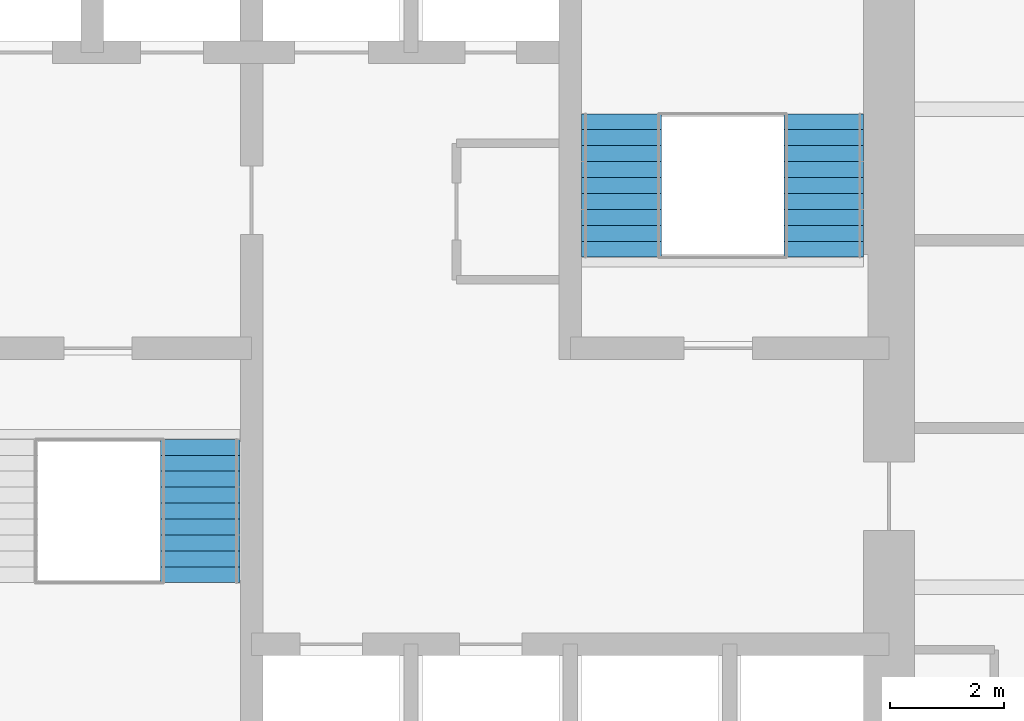
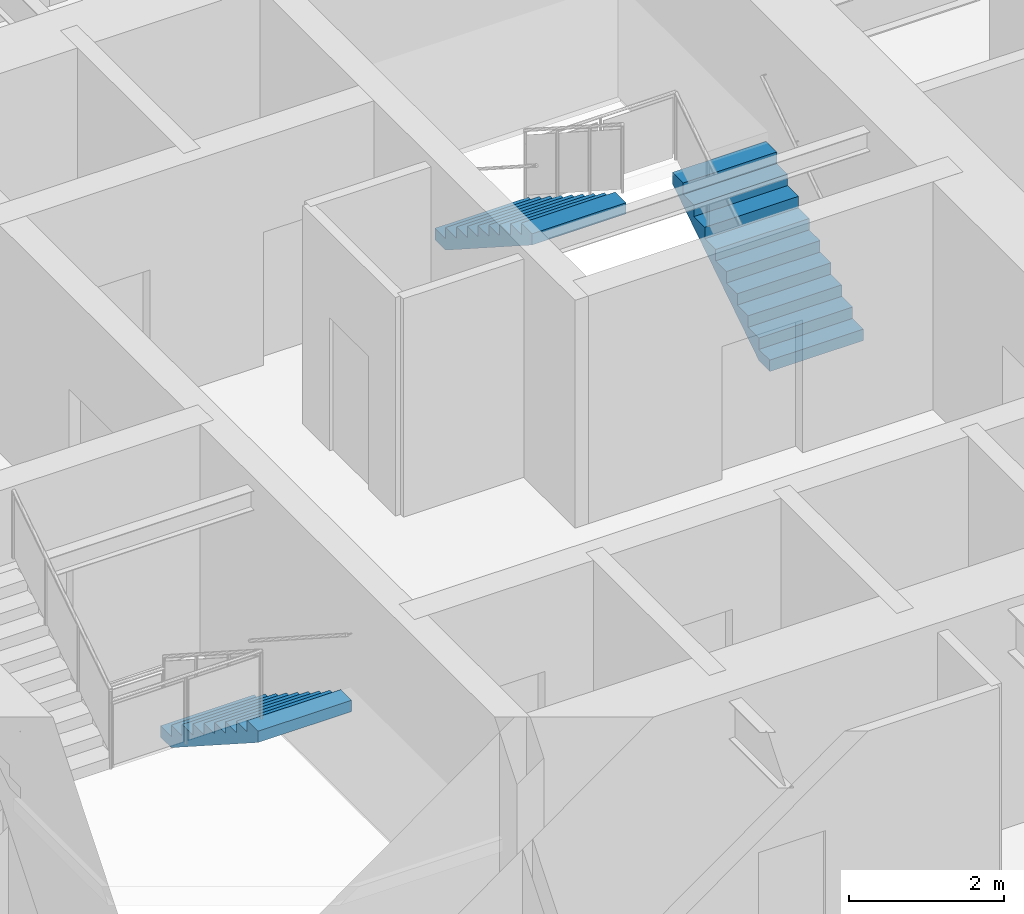
# One storey, part 13 of 15: 3 stair flights, 2 elements without a shape of their own.
"""IFC4 building model written with IfcOpenShell, lengths in metres."""

from ifc_helpers import new_model, si_unit, direction, frame, origin, place, context, subcontext, project, spatial, polyline, outline, extrude, material, type_object, element, aggregate, save


model = new_model("IFC4")

# Units and contexts
model_context = context("Model", 3, precision=1e-05, world=origin(), true_north=direction((0.0, 1.0)))
body_context = subcontext(model_context, "Body", "Model", "MODEL_VIEW")
ifc_project = project(units=[si_unit("LENGTHUNIT", "METRE"), si_unit("AREAUNIT", "SQUARE_METRE"), si_unit("VOLUMEUNIT", "CUBIC_METRE"), si_unit("PLANEANGLEUNIT", "RADIAN"), si_unit("MASSUNIT", "GRAM", prefix="KILO")], contexts=[model_context])

# Site, building, storey
site_placement = place(None, origin())
site = spatial("IfcSite", under=ifc_project, at=site_placement, CompositionType="ELEMENT")
building_placement = place(site_placement, origin())
building = spatial("IfcBuilding", under=site, at=building_placement, Name="Torre Alcanfor", CompositionType="ELEMENT")
storey_placement = place(building_placement, frame((0.0, 0.0, 148.5)))
storey = spatial("IfcBuildingStorey", under=building, at=storey_placement, Name="L38", CompositionType="ELEMENT", Elevation=148.5)

# Stair, stair flight
ifc_material_1 = material(Name="Concrete f'c 35 MPa", Category="concrete")
stair_type_1 = type_object("IfcStairType", Name="Exit stair S1 1400 wide", PredefinedType="HALF_TURN_STAIR", material=ifc_material_1)
stair_1_placement = place(storey_placement, origin())
stair_1 = element("IfcStair", 1, at=stair_1_placement, inside=storey, type_object=stair_type_1, Name="Stair S1 L38 to L39", PredefinedType="HALF_TURN_STAIR")
ifc_material_2 = material(Name="Concrete f'c 35 MPa", Category="concrete")
stair_flight_type = type_object("IfcStairFlightType", Name="Stair flight 1400", PredefinedType="STRAIGHT", material=ifc_material_2)
stair_flight_1_placement = place(storey_placement, frame((25.699951171875, 27.800048828125, 0.0), z_axis=(0.0, 0.0, 1.0), x_axis=(0.0, -1.0, 0.0)))
stair_flight_1 = element("IfcStairFlight", 2, at=stair_flight_1_placement, type_object=stair_flight_type, Name="S1 flight 1", NumberOfRisers=10, NumberOfTreads=9, PredefinedType="STRAIGHT", RiserHeight=0.18, TreadLength=0.28, context=body_context, shape_type="SweptSolid", body=[
    extrude(outline(polyline([(0.0, 0.0), (0.0, 0.179931640625), (0.280029296875, 0.179931640625), (0.280029296875, 0.360107421875), (0.56005859375, 0.360107421875), (0.56005859375, 0.5400390625), (0.840087890625, 0.5400390625), (0.840087890625, 0.719970703125), (1.1201171875, 0.719970703125), (1.1201171875, 0.89990234375), (1.39990234375, 0.89990234375), (1.39990234375, 1.080078125), (1.679931640625, 1.080078125), (1.679931640625, 1.260009765625), (1.9599609375, 1.260009765625), (1.9599609375, 1.43994140625), (2.239990234375, 1.43994140625), (2.239990234375, 1.6201171875), (2.52001953125, 1.6201171875), (2.52001953125, 1.800048828125), (2.52001953125, 1.44189453125), (0.277099609375, 0.0), (0.0, 0.0)])), frame((0.0, 0.699951171875, 0.0), z_axis=(0.0, -1.0, 0.0), x_axis=(1.0, 0.0, 0.0)), (0.0, 0.0, 1.0), 1.39990234375),
])
aggregate(stair_1, [stair_flight_1])

# Stair, stair flights
ifc_material_3 = material(Name="Concrete f'c 35 MPa", Category="concrete")
stair_type_2 = type_object("IfcStairType", Name="Exit stair S2 1400 wide", PredefinedType="HALF_TURN_STAIR", material=ifc_material_3)
stair_2_placement = place(storey_placement, origin())
stair_2 = element("IfcStair", 3, at=stair_2_placement, inside=storey, type_object=stair_type_2, Name="Stair S2 L38 to L39", PredefinedType="HALF_TURN_STAIR")
stair_flight_2_placement = place(storey_placement, frame((36.64990234375, 31.0, 0.0), z_axis=(0.0, 0.0, 1.0), x_axis=(0.0, 1.0, 0.0)))
stair_flight_2 = element("IfcStairFlight", 4, at=stair_flight_2_placement, type_object=stair_flight_type, Name="S2 flight 1", NumberOfRisers=10, NumberOfTreads=9, PredefinedType="STRAIGHT", RiserHeight=0.18, TreadLength=0.28, context=body_context, shape_type="SweptSolid", body=[
    extrude(outline(polyline([(0.0, 0.0), (0.0, 0.179931640625), (0.280029296875, 0.179931640625), (0.280029296875, 0.360107421875), (0.56005859375, 0.360107421875), (0.56005859375, 0.5400390625), (0.840087890625, 0.5400390625), (0.840087890625, 0.719970703125), (1.1201171875, 0.719970703125), (1.1201171875, 0.89990234375), (1.39990234375, 0.89990234375), (1.39990234375, 1.080078125), (1.679931640625, 1.080078125), (1.679931640625, 1.260009765625), (1.9599609375, 1.260009765625), (1.9599609375, 1.43994140625), (2.239990234375, 1.43994140625), (2.239990234375, 1.6201171875), (2.52001953125, 1.6201171875), (2.52001953125, 1.800048828125), (2.52001953125, 1.44189453125), (0.277099609375, 0.0), (0.0, 0.0)])), frame((0.0, 0.699951171875, 0.0), z_axis=(0.0, -1.0, 0.0), x_axis=(1.0, 0.0, 0.0)), (0.0, 0.0, 1.0), 1.39990234375),
])
stair_flight_3_placement = place(storey_placement, frame((33.10009765625, 33.52001953125, 1.800048828125), z_axis=(0.0, 0.0, 1.0), x_axis=(0.0, -1.0, 0.0)))
stair_flight_3 = element("IfcStairFlight", 5, at=stair_flight_3_placement, type_object=stair_flight_type, Name="S2 flight 2", NumberOfRisers=10, NumberOfTreads=9, PredefinedType="STRAIGHT", RiserHeight=0.18, TreadLength=0.28, context=body_context, shape_type="SweptSolid", body=[
    extrude(outline(polyline([(0.0, 0.0), (0.0, 0.179931640625), (0.280029296875, 0.179931640625), (0.280029296875, 0.360107421875), (0.56005859375, 0.360107421875), (0.56005859375, 0.5400390625), (0.840087890625, 0.5400390625), (0.840087890625, 0.719970703125), (1.1201171875, 0.719970703125), (1.1201171875, 0.89990234375), (1.39990234375, 0.89990234375), (1.39990234375, 1.080078125), (1.679931640625, 1.080078125), (1.679931640625, 1.260009765625), (1.9599609375, 1.260009765625), (1.9599609375, 1.43994140625), (2.239990234375, 1.43994140625), (2.239990234375, 1.6201171875), (2.52001953125, 1.6201171875), (2.52001953125, 1.800048828125), (2.52001953125, 1.44189453125), (0.277099609375, 0.0), (0.0, 0.0)])), frame((0.0, 0.699951171875, 0.0), z_axis=(0.0, -1.0, 0.0), x_axis=(1.0, 0.0, 0.0)), (0.0, 0.0, 1.0), 1.39990234375),
])
aggregate(stair_2, [stair_flight_2, stair_flight_3])

save(model, "model.ifc")
